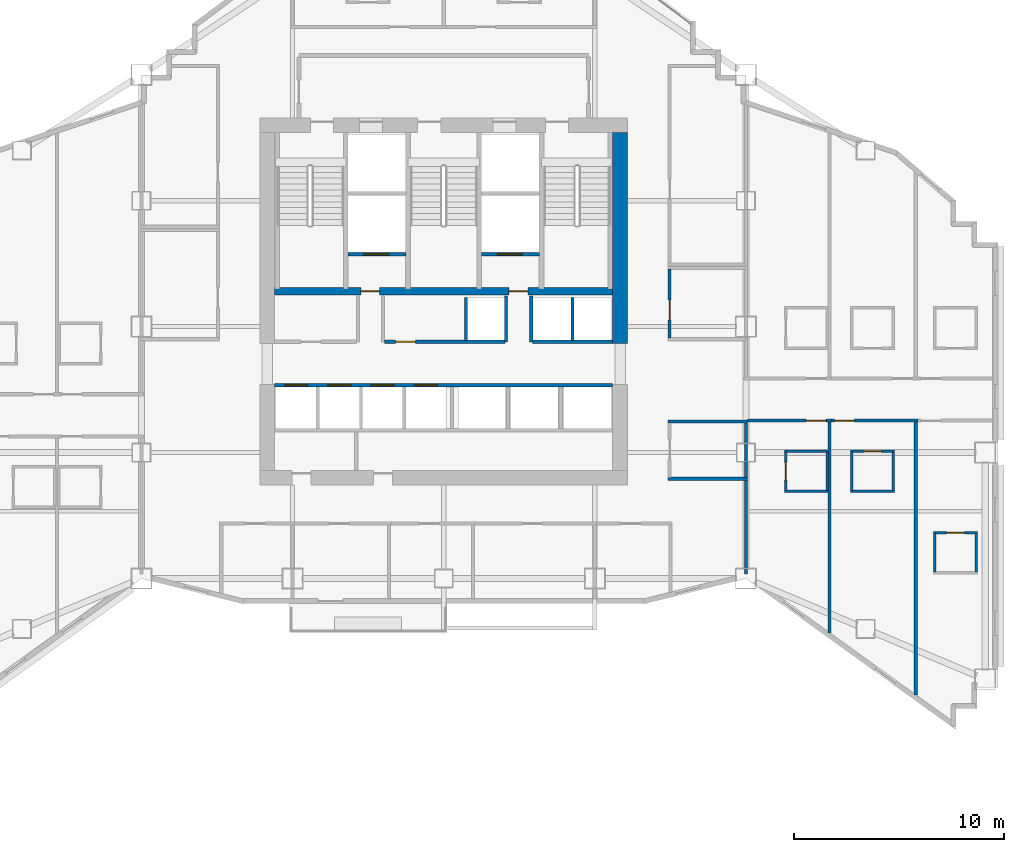
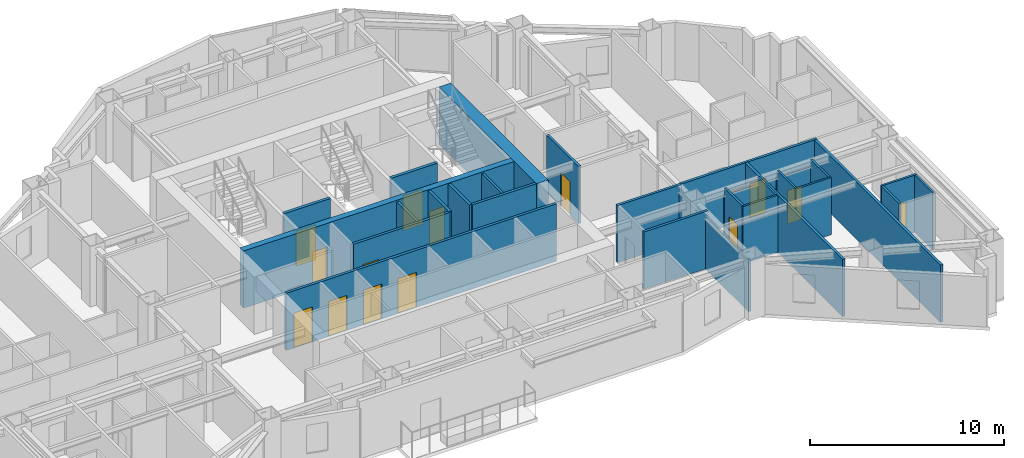
# One storey, part 9 of 16: 31 walls, 15 doors, 15 openings.
"""IFC4 building model written with IfcOpenShell, lengths in metres."""

from ifc_helpers import new_model, si_unit, direction, frame, frame_2d, origin, place, context, subcontext, project, spatial, rectangle, extrude, material, layer, layer_set, type_object, element, fill, save


model = new_model("IFC4")

# Units and contexts
model_context = context("Model", 3, precision=1e-05, world=origin(), true_north=direction((0.0, 1.0)))
body_context = subcontext(model_context, "Body", "Model", "MODEL_VIEW")
ifc_project = project(units=[si_unit("LENGTHUNIT", "METRE"), si_unit("AREAUNIT", "SQUARE_METRE"), si_unit("VOLUMEUNIT", "CUBIC_METRE"), si_unit("PLANEANGLEUNIT", "RADIAN"), si_unit("MASSUNIT", "GRAM", prefix="KILO")], contexts=[model_context])

# Site, building, storey
site_placement = place(None, origin())
site = spatial("IfcSite", under=ifc_project, at=site_placement, CompositionType="ELEMENT")
building_placement = place(site_placement, origin())
building = spatial("IfcBuilding", under=site, at=building_placement, Name="Haolan Belvedere Tower", CompositionType="ELEMENT")
storey_placement = place(building_placement, frame((0.0, 0.0, 125.0)))
storey = spatial("IfcBuildingStorey", under=building, at=storey_placement, Name="L31", CompositionType="ELEMENT", Elevation=125.0)

# Wall
ifc_material_1 = material(Name="Concrete C60/75", Category="concrete")
ifc_layer_1 = layer(ifc_material_1, 0.699951171875, Name="Concrete C60/75")
ifc_layer_set_1 = layer_set([ifc_layer_1], Name="Concrete C60/75")
wall_type_1 = type_object("IfcWallType", Name="WL-CORE-700", PredefinedType="SHEAR", material=ifc_layer_set_1)
wall_1_placement = place(storey_placement, frame((46.800048828125, 32.800048828125, 0.0), z_axis=(0.0, 0.0, 1.0), x_axis=(0.0, 1.0, 0.0)))
element("IfcWall", 1, at=wall_1_placement, inside=storey, type_object=wall_type_1, Name="L31 central core shear wall EN", PredefinedType="SHEAR", context=body_context, shape_type="SweptSolid", body=[
    extrude(rectangle(XDim=10.050048828125, YDim=0.699951171875, at=frame_2d((5.02490234375, 0.0))), origin(), (0.0, 0.0, 1.0), 3.60009765625),
])

# Wall, opening, door
ifc_material_2 = material(Name="Double gypsum acoustic stud partition", Category="masonry")
ifc_layer_2 = layer(ifc_material_2, 0.14990234375, Name="Double gypsum acoustic stud partition")
ifc_layer_set_2 = layer_set([ifc_layer_2], Name="Double gypsum acoustic stud partition")
wall_type_2 = type_object("IfcWallType", Name="WL-PART-150", PredefinedType="PARTITIONING", material=ifc_layer_set_2)
wall_2_placement = place(storey_placement, frame((49.159912109375, 33.06005859375, 0.0), z_axis=(0.0, 0.0, 1.0), x_axis=(0.0, 1.0, 0.0)))
wall_2 = element("IfcWall", 2, at=wall_2_placement, inside=storey, type_object=wall_type_2, Name="L31 interior partition IW-L31-AWC-W", PredefinedType="PARTITIONING", context=body_context, shape_type="SweptSolid", body=[
    extrude(rectangle(XDim=3.280029296875, YDim=0.14990234375, at=frame_2d((1.64013671875, 0.0))), origin(), (0.0, 0.0, 1.0), 3.60009765625),
])
opening_1_placement = place(wall_2_placement, frame((0.860107421875, 0.0, 0.0)))
opening_1 = element("IfcOpeningElement", 3, at=opening_1_placement, cuts=wall_2, Name="Opening ID-03", PredefinedType="OPENING", context=body_context, shape_type="SweptSolid", body=[
    extrude(rectangle(XDim=0.949951171875, YDim=2.1201171875, at=frame_2d((0.47509765625, 1.06005859375))), frame((0.0, 0.0849609375, 0.0), z_axis=(0.0, -1.0, 0.0), x_axis=(1.0, 0.0, 0.0)), (0.0, 0.0, 1.0), 0.169921875),
])
ifc_material_3 = material(Name="Painted solid-core timber", Category="wood")
door_type_1 = type_object("IfcDoorType", Name="DR-INT-950", OperationType="NOTDEFINED", PredefinedType="DOOR", material=ifc_material_3)
door_1_placement = place(opening_1_placement, origin())
door_1 = element("IfcDoor", 4, at=door_1_placement, inside=storey, type_object=door_type_1, Name="L31 door ID-L31-AWC", OperationType="SINGLE_SWING_RIGHT", OverallHeight=2.1201171875, OverallWidth=0.949951171875, PredefinedType="DOOR", context=body_context, shape_type="SweptSolid", body=[
    extrude(rectangle(XDim=0.949951171875, YDim=2.1201171875, at=frame_2d((0.47509765625, 1.06005859375))), frame((0.0, 0.02490234375, 0.0), z_axis=(0.0, -1.0, 0.0), x_axis=(1.0, 0.0, 0.0)), (0.0, 0.0, 1.0), 0.050048828125),
])
fill(opening_1, door_1)

# Walls
for number, where, z_axis, x_axis, name in (
    (5, (49.080078125, 29.080078125, 0.0), (0.0, 0.0, 1.0), (1.0, 0.0, 0.0), "L31 interior partition IW-L31-PKTE-N"),
    (6, (49.080078125, 26.35009765625, 0.0), (0.0, 0.0, 1.0), (1.0, 0.0, 0.0), "L31 interior partition IW-L31-PKTE-S"),
):
    element("IfcWall", number, at=place(storey_placement, frame(where, z_axis=z_axis, x_axis=x_axis)), inside=storey, type_object=wall_type_2, Name=name, PredefinedType="PARTITIONING", context=body_context, shape_type="SweptSolid", body=[
        extrude(rectangle(XDim=3.7998046875, YDim=0.14990234375, at=frame_2d((1.89990234375, 0.0))), origin(), (0.0, 0.0, 1.0), 3.60009765625),
    ])
wall_3_placement = place(storey_placement, frame((52.800048828125, 26.409912109375, 0.0), z_axis=(0.0, 0.0, 1.0), x_axis=(0.0, 1.0, 0.0)))
element("IfcWall", 7, at=wall_3_placement, inside=storey, type_object=wall_type_2, Name="L31 interior partition IW-L31-PKTE-E", PredefinedType="PARTITIONING", context=body_context, shape_type="SweptSolid", body=[
    extrude(rectangle(XDim=2.610107421875, YDim=0.14990234375, at=frame_2d((1.30517578125, 0.0))), origin(), (0.0, 0.0, 1.0), 3.14501953125),
])

# Wall, opening, door
wall_4_placement = place(storey_placement, frame((52.882080078125, 29.1201171875, 0.0), z_axis=(0.0, 0.0, 1.0), x_axis=(1.0, 0.0, 0.0)))
wall_4 = element("IfcWall", 8, at=wall_4_placement, inside=storey, type_object=wall_type_2, Name="L31 interior partition IW-L31-T4S1-N", PredefinedType="PARTITIONING", context=body_context, shape_type="SweptSolid", body=[
    extrude(rectangle(XDim=3.997802734375, YDim=0.14990234375, at=frame_2d((1.9990234375, 0.0))), origin(), (0.0, 0.0, 1.0), 3.60009765625),
])
opening_2_placement = place(wall_4_placement, frame((3.740478515625, 0.0, 0.0), z_axis=(0.0, 0.0, 1.0), x_axis=(-1.0, 0.0, 0.0)))
opening_2 = element("IfcOpeningElement", 9, at=opening_2_placement, cuts=wall_4, Name="Opening ID-02", PredefinedType="OPENING", context=body_context, shape_type="SweptSolid", body=[
    extrude(rectangle(XDim=0.949951171875, YDim=2.14990234375, at=frame_2d((0.47509765625, 1.074951171875))), frame((0.0, 0.0849609375, 0.0), z_axis=(0.0, -1.0, 0.0), x_axis=(1.0, 0.0, 0.0)), (0.0, 0.0, 1.0), 0.169921875),
])
ifc_material_4 = material(Name="Acoustic oak veneer fire-rated timber", Category="wood")
door_type_2 = type_object("IfcDoorType", Name="DR-GUEST-950", OperationType="NOTDEFINED", PredefinedType="DOOR", material=ifc_material_4)
door_2_placement = place(opening_2_placement, origin())
door_2 = element("IfcDoor", 10, at=door_2_placement, inside=storey, type_object=door_type_2, Name="L31 door ID-L31-T4S1-ENT", OperationType="SINGLE_SWING_LEFT", OverallHeight=2.14990234375, OverallWidth=0.949951171875, PredefinedType="DOOR", context=body_context, shape_type="SweptSolid", body=[
    extrude(rectangle(XDim=0.949951171875, YDim=2.14990234375, at=frame_2d((0.47509765625, 1.074951171875))), frame((0.0, 0.02490234375, 0.0), z_axis=(0.0, -1.0, 0.0), x_axis=(1.0, 0.0, 0.0)), (0.0, 0.0, 1.0), 0.050048828125),
])
fill(opening_2, door_2)

# Walls
wall_5_placement = place(storey_placement, frame((52.800048828125, 21.818603515625, 0.0), z_axis=(0.0, 0.0, 1.0), x_axis=(0.0, 1.0, 0.0)))
element("IfcWall", 11, at=wall_5_placement, inside=storey, type_object=wall_type_2, Name="L31 interior partition IW-L31-T4S1-W", PredefinedType="PARTITIONING", context=body_context, shape_type="SweptSolid", body=[
    extrude(rectangle(XDim=4.471435546875, YDim=0.14990234375, at=frame_2d((2.23583984375, 0.0))), origin(), (0.0, 0.0, 1.0), 3.14501953125),
])
wall_6_placement = place(storey_placement, frame((56.780029296875, 19.01171875, 0.0), z_axis=(0.0, 0.0, 1.0), x_axis=(0.0, 1.0, 0.0)))
element("IfcWall", 12, at=wall_6_placement, inside=storey, type_object=wall_type_2, Name="L31 interior partition IW-L31-T4S1-E", PredefinedType="PARTITIONING", context=body_context, shape_type="SweptSolid", body=[
    extrude(rectangle(XDim=10.04833984375, YDim=0.14990234375, at=frame_2d((5.024169921875, 0.0))), origin(), (0.0, 0.0, 1.0), 3.60009765625),
])

# Wall, opening, door
wall_7_placement = place(storey_placement, frame((56.882080078125, 29.1201171875, 0.0), z_axis=(0.0, 0.0, 1.0), x_axis=(1.0, 0.0, 0.0)))
wall_7 = element("IfcWall", 13, at=wall_7_placement, inside=storey, type_object=wall_type_2, Name="L31 interior partition IW-L31-T4S2-N", PredefinedType="PARTITIONING", context=body_context, shape_type="SweptSolid", body=[
    extrude(rectangle(XDim=4.10791015625, YDim=0.14990234375, at=frame_2d((2.053955078125, 0.0))), origin(), (0.0, 0.0, 1.0), 3.60009765625),
])
opening_3_placement = place(wall_7_placement, frame((1.08984375, 0.0, 0.0), z_axis=(0.0, 0.0, 1.0), x_axis=(-1.0, 0.0, 0.0)))
opening_3 = element("IfcOpeningElement", 14, at=opening_3_placement, cuts=wall_7, Name="Opening ID-02", PredefinedType="OPENING", context=body_context, shape_type="SweptSolid", body=[
    extrude(rectangle(XDim=0.949951171875, YDim=2.14990234375, at=frame_2d((0.47509765625, 1.074951171875))), frame((0.0, 0.0849609375, 0.0), z_axis=(0.0, -1.0, 0.0), x_axis=(1.0, 0.0, 0.0)), (0.0, 0.0, 1.0), 0.169921875),
])
door_3_placement = place(opening_3_placement, origin())
door_3 = element("IfcDoor", 15, at=door_3_placement, inside=storey, type_object=door_type_2, Name="L31 door ID-L31-T4S2-ENT", OperationType="SINGLE_SWING_RIGHT", OverallHeight=2.14990234375, OverallWidth=0.949951171875, PredefinedType="DOOR", context=body_context, shape_type="SweptSolid", body=[
    extrude(rectangle(XDim=0.949951171875, YDim=2.14990234375, at=frame_2d((0.47509765625, 1.074951171875))), frame((0.0, 0.02490234375, 0.0), z_axis=(0.0, -1.0, 0.0), x_axis=(1.0, 0.0, 0.0)), (0.0, 0.0, 1.0), 0.050048828125),
])
fill(opening_3, door_3)

# Walls
wall_8_placement = place(storey_placement, frame((60.889892578125, 16.052490234375, 0.0), z_axis=(0.0, 0.0, 1.0), x_axis=(0.0, 1.0, 0.0)))
element("IfcWall", 16, at=wall_8_placement, inside=storey, type_object=wall_type_2, Name="L31 interior partition IW-L31-T4S2-E", PredefinedType="PARTITIONING", context=body_context, shape_type="SweptSolid", body=[
    extrude(rectangle(XDim=13.007568359375, YDim=0.14990234375, at=frame_2d((6.50390625, 0.0))), origin(), (0.0, 0.0, 1.0), 3.60009765625),
])
ifc_material_5 = material(Name="Gypsum fire shaftwall assembly", Category="masonry")
ifc_layer_3 = layer(ifc_material_5, 0.1650390625, Name="Gypsum fire shaftwall assembly")
ifc_layer_set_3 = layer_set([ifc_layer_3], Name="Gypsum fire shaftwall assembly")
wall_type_3 = type_object("IfcWallType", Name="WL-SHAFT-160", PredefinedType="SOLIDWALL", material=ifc_layer_set_3)
for number, where, z_axis, x_axis, name in (
    (17, (41.3701171875, 32.8798828125, 0.0), (0.0, 0.0, 1.0), (0.0, 1.0, 0.0), "L31 interior partition IW-L31-SVP-W-SV2"),
    (18, (42.570068359375, 32.8798828125, 0.0), (0.0, 0.0, 1.0), (0.0, 1.0, 0.0), "L31 interior partition IW-L31-SVP-E-SV2"),
):
    element("IfcWall", number, at=place(storey_placement, frame(where, z_axis=z_axis, x_axis=x_axis)), inside=storey, type_object=wall_type_3, Name=name, PredefinedType="SOLIDWALL", context=body_context, shape_type="SweptSolid", body=[
        extrude(rectangle(XDim=2.170166015625, YDim=0.14990234375, at=frame_2d((1.0849609375, 0.0))), origin(), (0.0, 0.0, 1.0), 3.60009765625),
    ])

# Wall, opening, door
wall_9_placement = place(storey_placement, frame((35.570068359375, 32.8798828125, 0.0), z_axis=(0.0, 0.0, 1.0), x_axis=(1.0, 0.0, 0.0)))
wall_9 = element("IfcWall", 19, at=wall_9_placement, inside=storey, type_object=wall_type_3, Name="L31 interior partition IW-L31-ROW-PN2", PredefinedType="SOLIDWALL", context=body_context, shape_type="SweptSolid", body=[
    extrude(rectangle(XDim=5.739990234375, YDim=0.159912109375, at=frame_2d((2.8701171875, 0.0))), origin(), (0.0, 0.0, 1.0), 3.60009765625),
])
opening_4_placement = place(wall_9_placement, frame((1.489990234375, 0.0, 0.0), z_axis=(0.0, 0.0, 1.0), x_axis=(-1.0, 0.0, 0.0)))
opening_4 = element("IfcOpeningElement", 20, at=opening_4_placement, cuts=wall_9, Name="Opening ID-03", PredefinedType="OPENING", context=body_context, shape_type="SweptSolid", body=[
    extrude(rectangle(XDim=0.949951171875, YDim=2.1201171875, at=frame_2d((0.47509765625, 1.06005859375))), frame((0.0, 0.08984375, 0.0), z_axis=(0.0, -1.0, 0.0), x_axis=(1.0, 0.0, 0.0)), (0.0, 0.0, 1.0), 0.179931640625),
])
door_4_placement = place(opening_4_placement, origin())
door_4 = element("IfcDoor", 21, at=door_4_placement, inside=storey, type_object=door_type_1, Name="L31 door ID-L31-CD-RPLE", OperationType="SINGLE_SWING_RIGHT", OverallHeight=2.1201171875, OverallWidth=0.949951171875, PredefinedType="DOOR", context=body_context, shape_type="SweptSolid", body=[
    extrude(rectangle(XDim=0.949951171875, YDim=2.1201171875, at=frame_2d((0.47509765625, 1.06005859375))), frame((0.0, 0.02490234375, 0.0), z_axis=(0.0, -1.0, 0.0), x_axis=(1.0, 0.0, 0.0)), (0.0, 0.0, 1.0), 0.050048828125),
])
fill(opening_4, door_4)

# Walls
wall_10_placement = place(storey_placement, frame((42.6298828125, 32.8798828125, 0.0), z_axis=(0.0, 0.0, 1.0), x_axis=(1.0, 0.0, 0.0)))
element("IfcWall", 22, at=wall_10_placement, inside=storey, type_object=wall_type_3, Name="L31 interior partition IW-L31-ROW-PN3", PredefinedType="SOLIDWALL", context=body_context, shape_type="SweptSolid", body=[
    extrude(rectangle(XDim=3.820068359375, YDim=0.159912109375, at=frame_2d((1.91015625, 0.0))), origin(), (0.0, 0.0, 1.0), 3.60009765625),
])
for number, where, z_axis, x_axis, name in (
    (23, (39.469970703125, 32.949951171875, 0.0), (0.0, 0.0, 1.0), (0.0, 1.0, 0.0), "L31 interior partition IW-L31-DIV-PL4R"),
    (24, (44.530029296875, 32.949951171875, 0.0), (0.0, 0.0, 1.0), (0.0, 1.0, 0.0), "L31 interior partition IW-L31-DIV-PH2"),
):
    element("IfcWall", number, at=place(storey_placement, frame(where, z_axis=z_axis, x_axis=x_axis)), inside=storey, type_object=wall_type_3, Name=name, PredefinedType="SOLIDWALL", context=body_context, shape_type="SweptSolid", body=[
        extrude(rectangle(XDim=2.050048828125, YDim=0.14990234375, at=frame_2d((1.02490234375, 0.0))), origin(), (0.0, 0.0, 1.0), 3.60009765625),
    ])

# Wall, openings, doors
wall_11_placement = place(storey_placement, frame((30.35009765625, 30.800048828125, 0.0), z_axis=(0.0, 0.0, 1.0), x_axis=(1.0, 0.0, 0.0)))
wall_11 = element("IfcWall", 25, at=wall_11_placement, inside=storey, type_object=wall_type_3, Name="L31 interior partition IW-L31-ROW-PS", PredefinedType="SOLIDWALL", context=body_context, shape_type="SweptSolid", body=[
    extrude(rectangle(XDim=16.099853515625, YDim=0.159912109375, at=frame_2d((8.0498046875, 0.0))), origin(), (0.0, 0.0, 1.0), 3.60009765625),
])
opening_5_placement = place(wall_11_placement, frame((0.469970703125, 0.0, 0.0)))
opening_5 = element("IfcOpeningElement", 26, at=opening_5_placement, cuts=wall_11, Name="Opening LD-01", PredefinedType="OPENING", context=body_context, shape_type="SweptSolid", body=[
    extrude(rectangle(XDim=1.10009765625, YDim=2.199951171875, at=frame_2d((0.550048828125, 1.10009765625))), frame((0.0, 0.08984375, 0.0), z_axis=(0.0, -1.0, 0.0), x_axis=(1.0, 0.0, 0.0)), (0.0, 0.0, 1.0), 0.179931640625),
])
opening_6_placement = place(wall_11_placement, frame((2.530029296875, 0.0, 0.0)))
opening_6 = element("IfcOpeningElement", 27, at=opening_6_placement, cuts=wall_11, Name="Opening LD-01", PredefinedType="OPENING", context=body_context, shape_type="SweptSolid", body=[
    extrude(rectangle(XDim=1.10009765625, YDim=2.199951171875, at=frame_2d((0.550048828125, 1.10009765625))), frame((0.0, 0.08984375, 0.0), z_axis=(0.0, -1.0, 0.0), x_axis=(1.0, 0.0, 0.0)), (0.0, 0.0, 1.0), 0.179931640625),
])
opening_7_placement = place(wall_11_placement, frame((4.590087890625, 0.0, 0.0)))
opening_7 = element("IfcOpeningElement", 28, at=opening_7_placement, cuts=wall_11, Name="Opening LD-01", PredefinedType="OPENING", context=body_context, shape_type="SweptSolid", body=[
    extrude(rectangle(XDim=1.10009765625, YDim=2.199951171875, at=frame_2d((0.550048828125, 1.10009765625))), frame((0.0, 0.08984375, 0.0), z_axis=(0.0, -1.0, 0.0), x_axis=(1.0, 0.0, 0.0)), (0.0, 0.0, 1.0), 0.179931640625),
])
opening_8_placement = place(wall_11_placement, frame((6.64990234375, 0.0, 0.0)))
opening_8 = element("IfcOpeningElement", 29, at=opening_8_placement, cuts=wall_11, Name="Opening LD-01", PredefinedType="OPENING", context=body_context, shape_type="SweptSolid", body=[
    extrude(rectangle(XDim=1.10009765625, YDim=2.199951171875, at=frame_2d((0.550048828125, 1.10009765625))), frame((0.0, 0.08984375, 0.0), z_axis=(0.0, -1.0, 0.0), x_axis=(1.0, 0.0, 0.0)), (0.0, 0.0, 1.0), 0.179931640625),
])
ifc_material_6 = material(Name="Brushed champagne stainless steel 316L", Category="steel")
door_type_3 = type_object("IfcDoorType", Name="DR-LIFT-1100", OperationType="SLIDING_TO_LEFT", PredefinedType="DOOR", material=ifc_material_6)
door_5_placement = place(opening_5_placement, origin())
door_5 = element("IfcDoor", 30, at=door_5_placement, inside=storey, type_object=door_type_3, Name="L31 door ID-L31-LD-PM1", OperationType="SLIDING_TO_LEFT", OverallHeight=2.199951171875, OverallWidth=1.10009765625, PredefinedType="DOOR", context=body_context, shape_type="SweptSolid", body=[
    extrude(rectangle(XDim=1.10009765625, YDim=2.199951171875, at=frame_2d((0.550048828125, 1.10009765625))), frame((0.0, 0.02490234375, 0.0), z_axis=(0.0, -1.0, 0.0), x_axis=(1.0, 0.0, 0.0)), (0.0, 0.0, 1.0), 0.050048828125),
])
fill(opening_5, door_5)
door_6_placement = place(opening_6_placement, origin())
door_6 = element("IfcDoor", 31, at=door_6_placement, inside=storey, type_object=door_type_3, Name="L31 door ID-L31-LD-PM2", OperationType="SLIDING_TO_LEFT", OverallHeight=2.199951171875, OverallWidth=1.10009765625, PredefinedType="DOOR", context=body_context, shape_type="SweptSolid", body=[
    extrude(rectangle(XDim=1.10009765625, YDim=2.199951171875, at=frame_2d((0.550048828125, 1.10009765625))), frame((0.0, 0.02490234375, 0.0), z_axis=(0.0, -1.0, 0.0), x_axis=(1.0, 0.0, 0.0)), (0.0, 0.0, 1.0), 0.050048828125),
])
fill(opening_6, door_6)
door_7_placement = place(opening_7_placement, origin())
door_7 = element("IfcDoor", 32, at=door_7_placement, inside=storey, type_object=door_type_3, Name="L31 door ID-L31-LD-PM3", OperationType="SLIDING_TO_LEFT", OverallHeight=2.199951171875, OverallWidth=1.10009765625, PredefinedType="DOOR", context=body_context, shape_type="SweptSolid", body=[
    extrude(rectangle(XDim=1.10009765625, YDim=2.199951171875, at=frame_2d((0.550048828125, 1.10009765625))), frame((0.0, 0.02490234375, 0.0), z_axis=(0.0, -1.0, 0.0), x_axis=(1.0, 0.0, 0.0)), (0.0, 0.0, 1.0), 0.050048828125),
])
fill(opening_7, door_7)
door_8_placement = place(opening_8_placement, origin())
door_8 = element("IfcDoor", 33, at=door_8_placement, inside=storey, type_object=door_type_3, Name="L31 door ID-L31-LD-PM4", OperationType="SLIDING_TO_LEFT", OverallHeight=2.199951171875, OverallWidth=1.10009765625, PredefinedType="DOOR", context=body_context, shape_type="SweptSolid", body=[
    extrude(rectangle(XDim=1.10009765625, YDim=2.199951171875, at=frame_2d((0.550048828125, 1.10009765625))), frame((0.0, 0.02490234375, 0.0), z_axis=(0.0, -1.0, 0.0), x_axis=(1.0, 0.0, 0.0)), (0.0, 0.0, 1.0), 0.050048828125),
])
fill(opening_8, door_8)

# Wall, opening, door
ifc_material_7 = material(Name="Precast concrete C40/50", Category="concrete")
ifc_layer_4 = layer(ifc_material_7, 0.179931640625, Name="Precast concrete C40/50")
ifc_layer_set_4 = layer_set([ifc_layer_4], Name="Precast concrete C40/50")
wall_type_4 = type_object("IfcWallType", Name="WL-SHAFT-180", PredefinedType="SOLIDWALL", material=ifc_layer_set_4)
wall_12_placement = place(storey_placement, frame((33.8349609375, 37.050048828125, 0.0), z_axis=(0.0, 0.0, 1.0), x_axis=(1.0, 0.0, 0.0)))
wall_12 = element("IfcWall", 34, at=wall_12_placement, inside=storey, type_object=wall_type_4, Name="L31 interior partition IW-L31-SV1-S", PredefinedType="SOLIDWALL", context=body_context, shape_type="SweptSolid", body=[
    extrude(rectangle(XDim=2.77001953125, YDim=0.179931640625, at=frame_2d((1.385009765625, 0.0))), origin(), (0.0, 0.0, 1.0), 3.60009765625),
])
opening_9_placement = place(wall_12_placement, frame((1.945068359375, 0.0, 0.0), z_axis=(0.0, 0.0, 1.0), x_axis=(-1.0, 0.0, 0.0)))
opening_9 = element("IfcOpeningElement", 35, at=opening_9_placement, cuts=wall_12, Name="Opening LD-02", PredefinedType="OPENING", context=body_context, shape_type="SweptSolid", body=[
    extrude(rectangle(XDim=1.199951171875, YDim=2.199951171875, at=frame_2d((0.60009765625, 1.10009765625))), frame((0.0, 0.099853515625, 0.0), z_axis=(0.0, -1.0, 0.0), x_axis=(1.0, 0.0, 0.0)), (0.0, 0.0, 1.0), 0.199951171875),
])
door_type_4 = type_object("IfcDoorType", Name="DR-LIFT-1200", OperationType="SLIDING_TO_RIGHT", PredefinedType="DOOR", material=ifc_material_6)
door_9_placement = place(opening_9_placement, origin())
door_9 = element("IfcDoor", 36, at=door_9_placement, inside=storey, type_object=door_type_4, Name="L31 door ID-L31-LD-SV1", OperationType="SLIDING_TO_RIGHT", OverallHeight=2.199951171875, OverallWidth=1.199951171875, PredefinedType="DOOR", context=body_context, shape_type="SweptSolid", body=[
    extrude(rectangle(XDim=1.199951171875, YDim=2.199951171875, at=frame_2d((0.60009765625, 1.10009765625))), frame((0.0, 0.02490234375, 0.0), z_axis=(0.0, -1.0, 0.0), x_axis=(1.0, 0.0, 0.0)), (0.0, 0.0, 1.0), 0.050048828125),
])
fill(opening_9, door_9)

wall_13_placement = place(storey_placement, frame((40.195068359375, 37.050048828125, 0.0), z_axis=(0.0, 0.0, 1.0), x_axis=(1.0, 0.0, 0.0)))
wall_13 = element("IfcWall", 37, at=wall_13_placement, inside=storey, type_object=wall_type_4, Name="L31 interior partition IW-L31-SV2-S", PredefinedType="SOLIDWALL", context=body_context, shape_type="SweptSolid", body=[
    extrude(rectangle(XDim=2.77001953125, YDim=0.179931640625, at=frame_2d((1.385009765625, 0.0))), origin(), (0.0, 0.0, 1.0), 3.60009765625),
])
opening_10_placement = place(wall_13_placement, frame((1.945068359375, 0.0, 0.0), z_axis=(0.0, 0.0, 1.0), x_axis=(-1.0, 0.0, 0.0)))
opening_10 = element("IfcOpeningElement", 38, at=opening_10_placement, cuts=wall_13, Name="Opening LD-02", PredefinedType="OPENING", context=body_context, shape_type="SweptSolid", body=[
    extrude(rectangle(XDim=1.199951171875, YDim=2.199951171875, at=frame_2d((0.60009765625, 1.10009765625))), frame((0.0, 0.099853515625, 0.0), z_axis=(0.0, -1.0, 0.0), x_axis=(1.0, 0.0, 0.0)), (0.0, 0.0, 1.0), 0.199951171875),
])
door_10_placement = place(opening_10_placement, origin())
door_10 = element("IfcDoor", 39, at=door_10_placement, inside=storey, type_object=door_type_4, Name="L31 door ID-L31-LD-SV2", OperationType="SLIDING_TO_RIGHT", OverallHeight=2.199951171875, OverallWidth=1.199951171875, PredefinedType="DOOR", context=body_context, shape_type="SweptSolid", body=[
    extrude(rectangle(XDim=1.199951171875, YDim=2.199951171875, at=frame_2d((0.60009765625, 1.10009765625))), frame((0.0, 0.02490234375, 0.0), z_axis=(0.0, -1.0, 0.0), x_axis=(1.0, 0.0, 0.0)), (0.0, 0.0, 1.0), 0.050048828125),
])
fill(opening_10, door_10)

# Wall, openings, doors
ifc_layer_5 = layer(ifc_material_1, 0.360107421875, Name="Concrete C60/75")
ifc_layer_set_5 = layer_set([ifc_layer_5], Name="Concrete C60/75")
wall_type_5 = type_object("IfcWallType", Name="WL-WEB-350", PredefinedType="SHEAR", material=ifc_layer_set_5)
wall_14_placement = place(storey_placement, frame((30.35009765625, 35.2900390625, 0.0), z_axis=(0.0, 0.0, 1.0), x_axis=(1.0, 0.0, 0.0)))
wall_14 = element("IfcWall", 40, at=wall_14_placement, inside=storey, type_object=wall_type_5, Name="L31 central core internal shear web", PredefinedType="SHEAR", context=body_context, shape_type="SweptSolid", body=[
    extrude(rectangle(XDim=16.099853515625, YDim=0.360107421875, at=frame_2d((8.0498046875, 0.0))), origin(), (0.0, 0.0, 1.0), 3.60009765625),
])
opening_11_placement = place(wall_14_placement, frame((5.0, 0.0, 0.0), z_axis=(0.0, 0.0, 1.0), x_axis=(-1.0, 0.0, 0.0)))
opening_11 = element("IfcOpeningElement", 41, at=opening_11_placement, cuts=wall_14, Name="Opening FD-05", PredefinedType="OPENING", context=body_context, shape_type="SweptSolid", body=[
    extrude(rectangle(XDim=0.89990234375, YDim=2.10009765625, at=frame_2d((0.449951171875, 1.050048828125))), frame((0.0, 0.18994140625, 0.0), z_axis=(0.0, -1.0, 0.0), x_axis=(1.0, 0.0, 0.0)), (0.0, 0.0, 1.0), 0.380126953125),
])
opening_12_placement = place(wall_14_placement, frame((12.059814453125, 0.0, 0.0), z_axis=(0.0, 0.0, 1.0), x_axis=(-1.0, 0.0, 0.0)))
opening_12 = element("IfcOpeningElement", 42, at=opening_12_placement, cuts=wall_14, Name="Opening FD-05", PredefinedType="OPENING", context=body_context, shape_type="SweptSolid", body=[
    extrude(rectangle(XDim=0.89990234375, YDim=2.10009765625, at=frame_2d((0.449951171875, 1.050048828125))), frame((0.0, 0.18994140625, 0.0), z_axis=(0.0, -1.0, 0.0), x_axis=(1.0, 0.0, 0.0)), (0.0, 0.0, 1.0), 0.380126953125),
])
ifc_material_8 = material(Name="Galvanised fire-rated steel", Category="steel")
door_type_5 = type_object("IfcDoorType", Name="DR-FD60-900", OperationType="NOTDEFINED", PredefinedType="DOOR", material=ifc_material_8)
door_11_placement = place(opening_11_placement, origin())
door_11 = element("IfcDoor", 43, at=door_11_placement, inside=storey, type_object=door_type_5, Name="L31 door CD-L31-SVL-SV1", OperationType="SINGLE_SWING_RIGHT", OverallHeight=2.10009765625, OverallWidth=0.89990234375, PredefinedType="DOOR", context=body_context, shape_type="SweptSolid", body=[
    extrude(rectangle(XDim=0.89990234375, YDim=2.10009765625, at=frame_2d((0.449951171875, 1.050048828125))), frame((0.0, 0.02490234375, 0.0), z_axis=(0.0, -1.0, 0.0), x_axis=(1.0, 0.0, 0.0)), (0.0, 0.0, 1.0), 0.050048828125),
])
fill(opening_11, door_11)
door_12_placement = place(opening_12_placement, origin())
door_12 = element("IfcDoor", 44, at=door_12_placement, inside=storey, type_object=door_type_5, Name="L31 door CD-L31-SVL-SV2", OperationType="SINGLE_SWING_RIGHT", OverallHeight=2.10009765625, OverallWidth=0.89990234375, PredefinedType="DOOR", context=body_context, shape_type="SweptSolid", body=[
    extrude(rectangle(XDim=0.89990234375, YDim=2.10009765625, at=frame_2d((0.449951171875, 1.050048828125))), frame((0.0, 0.02490234375, 0.0), z_axis=(0.0, -1.0, 0.0), x_axis=(1.0, 0.0, 0.0)), (0.0, 0.0, 1.0), 0.050048828125),
])
fill(opening_12, door_12)

# Walls
ifc_material_9 = material(Name="Moisture-resistant gypsum tile partition", Category="masonry")
ifc_layer_6 = layer(ifc_material_9, 0.1201171875, Name="Moisture-resistant gypsum tile partition")
ifc_layer_set_6 = layer_set([ifc_layer_6], Name="Moisture-resistant gypsum tile partition")
wall_type_6 = type_object("IfcWallType", Name="WL-WET-120", PredefinedType="PARTITIONING", material=ifc_layer_set_6)
wall_15_placement = place(storey_placement, frame((54.639892578125, 27.669921875, 0.0), z_axis=(0.0, 0.0, 1.0), x_axis=(1.0, 0.0, 0.0)))
element("IfcWall", 45, at=wall_15_placement, inside=storey, type_object=wall_type_6, Name="L31 interior partition IW-L31-T4S1-BN", PredefinedType="PARTITIONING", context=body_context, shape_type="SweptSolid", body=[
    extrude(rectangle(XDim=2.080078125, YDim=0.1201171875, at=frame_2d((1.0400390625, 0.0))), origin(), (0.0, 0.0, 1.0), 3.14501953125),
])
wall_16_placement = place(storey_placement, frame((54.639892578125, 25.75, 0.0), z_axis=(0.0, 0.0, 1.0), x_axis=(1.0, 0.0, 0.0)))
element("IfcWall", 46, at=wall_16_placement, inside=storey, type_object=wall_type_6, Name="L31 interior partition IW-L31-T4S1-BS", PredefinedType="PARTITIONING", context=body_context, shape_type="SweptSolid", body=[
    extrude(rectangle(XDim=2.080078125, YDim=0.1201171875, at=frame_2d((1.0400390625, 0.0))), origin(), (0.0, 0.0, 1.0), 3.60009765625),
])

# Wall, opening, door
wall_17_placement = place(storey_placement, frame((54.699951171875, 25.794921875, 0.0), z_axis=(0.0, 0.0, 1.0), x_axis=(0.0, 1.0, 0.0)))
wall_17 = element("IfcWall", 47, at=wall_17_placement, inside=storey, type_object=wall_type_6, Name="L31 interior partition IW-L31-T4S1-BW", PredefinedType="PARTITIONING", context=body_context, shape_type="SweptSolid", body=[
    extrude(rectangle(XDim=1.830078125, YDim=0.1201171875, at=frame_2d((0.9150390625, 0.0))), origin(), (0.0, 0.0, 1.0), 3.60009765625),
])
opening_13_placement = place(wall_17_placement, frame((1.340087890625, 0.0, 0.0), z_axis=(0.0, 0.0, 1.0), x_axis=(-1.0, 0.0, 0.0)))
opening_13 = element("IfcOpeningElement", 48, at=opening_13_placement, cuts=wall_17, Name="Opening ID-05", PredefinedType="OPENING", context=body_context, shape_type="SweptSolid", body=[
    extrude(rectangle(XDim=0.85009765625, YDim=2.10009765625, at=frame_2d((0.425048828125, 1.050048828125))), frame((0.0, 0.070068359375, 0.0), z_axis=(0.0, -1.0, 0.0), x_axis=(1.0, 0.0, 0.0)), (0.0, 0.0, 1.0), 0.14013671875),
])
ifc_material_10 = material(Name="Moisture-resistant lacquered timber", Category="wood")
door_type_6 = type_object("IfcDoorType", Name="DR-BATH-850", OperationType="NOTDEFINED", PredefinedType="DOOR", material=ifc_material_10)
door_13_placement = place(opening_13_placement, origin())
door_13 = element("IfcDoor", 49, at=door_13_placement, inside=storey, type_object=door_type_6, Name="L31 door ID-L31-T4S1-BATH", OperationType="SINGLE_SWING_RIGHT", OverallHeight=2.10009765625, OverallWidth=0.85009765625, PredefinedType="DOOR", context=body_context, shape_type="SweptSolid", body=[
    extrude(rectangle(XDim=0.85009765625, YDim=2.10009765625, at=frame_2d((0.425048828125, 1.050048828125))), frame((0.0, 0.02490234375, 0.0), z_axis=(0.0, -1.0, 0.0), x_axis=(1.0, 0.0, 0.0)), (0.0, 0.0, 1.0), 0.050048828125),
])
fill(opening_13, door_13)

# Wall
wall_18_placement = place(storey_placement, frame((56.679931640625, 25.794921875, 0.0), z_axis=(0.0, 0.0, 1.0), x_axis=(0.0, 1.0, 0.0)))
element("IfcWall", 50, at=wall_18_placement, inside=storey, type_object=wall_type_6, Name="L31 interior partition IW-L31-T4S1-BE", PredefinedType="PARTITIONING", context=body_context, shape_type="SweptSolid", body=[
    extrude(rectangle(XDim=1.830078125, YDim=0.1201171875, at=frame_2d((0.9150390625, 0.0))), origin(), (0.0, 0.0, 1.0), 3.60009765625),
])

# Wall, opening, door
wall_19_placement = place(storey_placement, frame((57.784912109375, 27.669921875, 0.0), z_axis=(0.0, 0.0, 1.0), x_axis=(1.0, 0.0, 0.0)))
wall_19 = element("IfcWall", 51, at=wall_19_placement, inside=storey, type_object=wall_type_6, Name="L31 interior partition IW-L31-T4S2-BN", PredefinedType="PARTITIONING", context=body_context, shape_type="SweptSolid", body=[
    extrude(rectangle(XDim=2.10009765625, YDim=0.1201171875, at=frame_2d((1.050048828125, 0.0))), origin(), (0.0, 0.0, 1.0), 3.14501953125),
])
opening_14_placement = place(wall_19_placement, frame((1.47509765625, 0.0, 0.0), z_axis=(0.0, 0.0, 1.0), x_axis=(-1.0, 0.0, 0.0)))
opening_14 = element("IfcOpeningElement", 52, at=opening_14_placement, cuts=wall_19, Name="Opening ID-05", PredefinedType="OPENING", context=body_context, shape_type="SweptSolid", body=[
    extrude(rectangle(XDim=0.85009765625, YDim=2.10009765625, at=frame_2d((0.425048828125, 1.050048828125))), frame((0.0, 0.070068359375, 0.0), z_axis=(0.0, -1.0, 0.0), x_axis=(1.0, 0.0, 0.0)), (0.0, 0.0, 1.0), 0.14013671875),
])
door_14_placement = place(opening_14_placement, origin())
door_14 = element("IfcDoor", 53, at=door_14_placement, inside=storey, type_object=door_type_6, Name="L31 door ID-L31-T4S2-BATH", OperationType="SINGLE_SWING_LEFT", OverallHeight=2.10009765625, OverallWidth=0.85009765625, PredefinedType="DOOR", context=body_context, shape_type="SweptSolid", body=[
    extrude(rectangle(XDim=0.85009765625, YDim=2.10009765625, at=frame_2d((0.425048828125, 1.050048828125))), frame((0.0, 0.02490234375, 0.0), z_axis=(0.0, -1.0, 0.0), x_axis=(1.0, 0.0, 0.0)), (0.0, 0.0, 1.0), 0.050048828125),
])
fill(opening_14, door_14)

# Walls
wall_20_placement = place(storey_placement, frame((57.784912109375, 25.75, 0.0), z_axis=(0.0, 0.0, 1.0), x_axis=(1.0, 0.0, 0.0)))
element("IfcWall", 54, at=wall_20_placement, inside=storey, type_object=wall_type_6, Name="L31 interior partition IW-L31-T4S2-BS", PredefinedType="PARTITIONING", context=body_context, shape_type="SweptSolid", body=[
    extrude(rectangle(XDim=2.10009765625, YDim=0.1201171875, at=frame_2d((1.050048828125, 0.0))), origin(), (0.0, 0.0, 1.0), 3.60009765625),
])
for number, where, z_axis, x_axis, name in (
    (55, (57.844970703125, 25.794921875, 0.0), (0.0, 0.0, 1.0), (0.0, 1.0, 0.0), "L31 interior partition IW-L31-T4S2-BW"),
    (56, (59.824951171875, 25.794921875, 0.0), (0.0, 0.0, 1.0), (0.0, 1.0, 0.0), "L31 interior partition IW-L31-T4S2-BE"),
):
    element("IfcWall", number, at=place(storey_placement, frame(where, z_axis=z_axis, x_axis=x_axis)), inside=storey, type_object=wall_type_6, Name=name, PredefinedType="PARTITIONING", context=body_context, shape_type="SweptSolid", body=[
        extrude(rectangle(XDim=1.830078125, YDim=0.1201171875, at=frame_2d((0.9150390625, 0.0))), origin(), (0.0, 0.0, 1.0), 3.60009765625),
    ])

# Wall, opening, door
wall_21_placement = place(storey_placement, frame((61.737060546875, 23.784912109375, 0.0), z_axis=(0.0, 0.0, 1.0), x_axis=(1.0, 0.0, 0.0)))
wall_21 = element("IfcWall", 57, at=wall_21_placement, inside=storey, type_object=wall_type_6, Name="L31 interior partition IW-L31-T4S3-BN", PredefinedType="PARTITIONING", context=body_context, shape_type="SweptSolid", body=[
    extrude(rectangle(XDim=2.099853515625, YDim=0.1201171875, at=frame_2d((1.0498046875, 0.0))), origin(), (0.0, 0.0, 1.0), 3.60009765625),
])
opening_15_placement = place(wall_21_placement, frame((1.47509765625, 0.0, 0.0), z_axis=(0.0, 0.0, 1.0), x_axis=(-1.0, 0.0, 0.0)))
opening_15 = element("IfcOpeningElement", 58, at=opening_15_placement, cuts=wall_21, Name="Opening ID-05", PredefinedType="OPENING", context=body_context, shape_type="SweptSolid", body=[
    extrude(rectangle(XDim=0.85009765625, YDim=2.10009765625, at=frame_2d((0.425048828125, 1.050048828125))), frame((0.0, 0.070068359375, 0.0), z_axis=(0.0, -1.0, 0.0), x_axis=(1.0, 0.0, 0.0)), (0.0, 0.0, 1.0), 0.14013671875),
])
door_15_placement = place(opening_15_placement, origin())
door_15 = element("IfcDoor", 59, at=door_15_placement, inside=storey, type_object=door_type_6, Name="L31 door ID-L31-T4S3-BATH", OperationType="SINGLE_SWING_RIGHT", OverallHeight=2.10009765625, OverallWidth=0.85009765625, PredefinedType="DOOR", context=body_context, shape_type="SweptSolid", body=[
    extrude(rectangle(XDim=0.85009765625, YDim=2.10009765625, at=frame_2d((0.425048828125, 1.050048828125))), frame((0.0, 0.02490234375, 0.0), z_axis=(0.0, -1.0, 0.0), x_axis=(1.0, 0.0, 0.0)), (0.0, 0.0, 1.0), 0.050048828125),
])
fill(opening_15, door_15)

# Walls
for number, where, z_axis, x_axis, name in (
    (60, (61.797119140625, 21.909912109375, 0.0), (0.0, 0.0, 1.0), (0.0, 1.0, 0.0), "L31 interior partition IW-L31-T4S3-BW"),
    (61, (63.777099609375, 21.909912109375, 0.0), (0.0, 0.0, 1.0), (0.0, 1.0, 0.0), "L31 interior partition IW-L31-T4S3-BE"),
):
    element("IfcWall", number, at=place(storey_placement, frame(where, z_axis=z_axis, x_axis=x_axis)), inside=storey, type_object=wall_type_6, Name=name, PredefinedType="PARTITIONING", context=body_context, shape_type="SweptSolid", body=[
        extrude(rectangle(XDim=1.830078125, YDim=0.1201171875, at=frame_2d((0.9150390625, 0.0))), origin(), (0.0, 0.0, 1.0), 3.60009765625),
    ])

save(model, "model.ifc")
